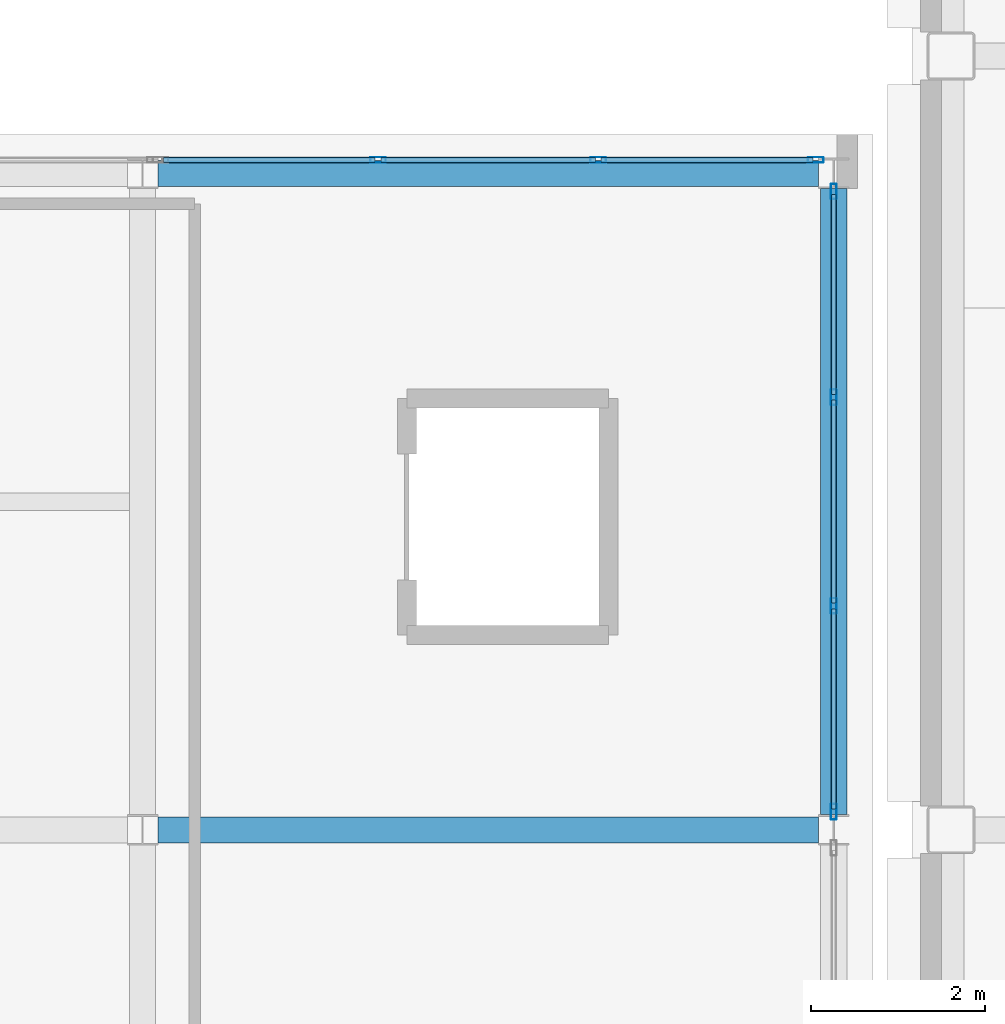
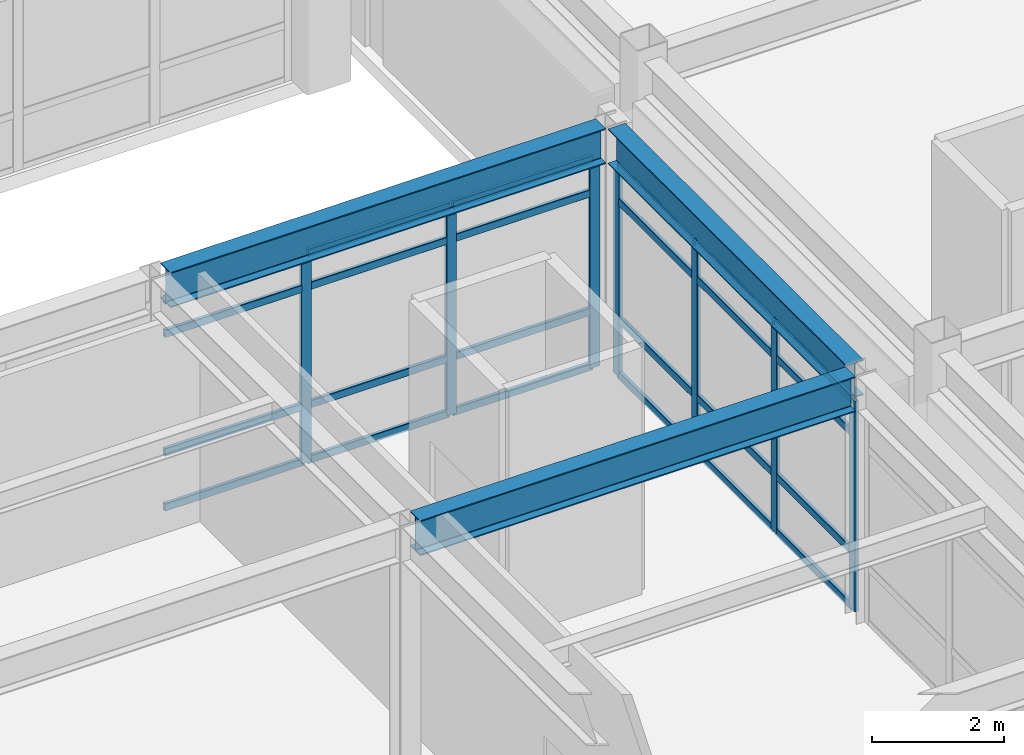
# One storey, part 31 of 154: 31 members, 3 beams, 2 elements without a shape of their own.
"""IFC4 building model written with IfcOpenShell, lengths in metres."""

from ifc_helpers import new_model, si_unit, direction, frame, origin, origin_2d, place, context, subcontext, project, spatial, hollow_rectangle, i_section, extrude, material, layer, layer_set, material_profile, profile_set, type_object, element, aggregate, save


model = new_model("IFC4")

# Units and contexts
model_context = context("Model", 3, precision=1e-05, world=origin(), true_north=direction((0.0, 1.0)))
body_context = subcontext(model_context, "Body", "Model", "MODEL_VIEW")
ifc_project = project(units=[si_unit("LENGTHUNIT", "METRE"), si_unit("AREAUNIT", "SQUARE_METRE"), si_unit("VOLUMEUNIT", "CUBIC_METRE"), si_unit("PLANEANGLEUNIT", "RADIAN"), si_unit("MASSUNIT", "GRAM", prefix="KILO")], contexts=[model_context])

# Site, building, storey
site_placement = place(None, origin())
site = spatial("IfcSite", under=ifc_project, at=site_placement, CompositionType="ELEMENT")
building_placement = place(site_placement, origin())
building = spatial("IfcBuilding", under=site, at=building_placement, Name="Kazehara Bluff Congress Hotel", CompositionType="ELEMENT")
storey_placement = place(building_placement, frame((0.0, 0.0, 10.199951171875)))
storey = spatial("IfcBuildingStorey", under=building, at=storey_placement, Name="L02", CompositionType="ELEMENT", Elevation=10.199951171875)

# Curtain wall, members
ifc_material_1 = material(Name="Anodised aluminium", Category="aluminium")
ifc_layer_1 = layer(ifc_material_1, 0.159912109375)
ifc_layer_set_1 = layer_set([ifc_layer_1], Name="Anodised aluminium")
curtain_wall_type_1 = type_object("IfcCurtainWallType", Name="TP-CW-23", PredefinedType="NOTDEFINED", material=ifc_layer_set_1)
curtain_wall_1_placement = place(storey_placement, origin())
curtain_wall_1 = element("IfcCurtainWall", 1, at=curtain_wall_1_placement, inside=storey, type_object=curtain_wall_type_1, Name="L02 curtain wall CW-23 CW-V2-L02-X5835-3217", PredefinedType="NOTDEFINED")
ifc_material_2 = material(Name="Anodised aluminium", Category="aluminium")
ifc_material_profile_1 = material_profile(ifc_material_2, hollow_rectangle(XDim=0.06494140625, YDim=0.179931640625, WallThickness=0.00390625, InnerFilletRadius=0.00390625, OuterFilletRadius=0.008056640625, at=origin_2d()))
ifc_profile_set_1 = profile_set([ifc_material_profile_1], Name="Anodised aluminium")
member_type_1 = type_object("IfcMemberType", Name="TP-CWM-02", PredefinedType="MULLION", material=ifc_profile_set_1)
member_1_placement = place(storey_placement, frame((58.35009765625, 32.20751953125, 0.0), z_axis=(0.0, 0.0, 1.0), x_axis=(-1.0, 0.0, 0.0)))
member_1 = element("IfcMember", 2, at=member_1_placement, type_object=member_type_1, Name="CW-23 mullion 1", PredefinedType="MULLION", context=body_context, shape_type="SweptSolid", body=[
    extrude(hollow_rectangle(XDim=0.06494140625, YDim=0.179931640625, WallThickness=0.00390625, InnerFilletRadius=0.00390625, OuterFilletRadius=0.008056640625, at=origin_2d()), origin(), (0.0, 0.0, 1.0), 3.885009765625),
])
member_2_placement = place(storey_placement, frame((58.35009765625, 34.574951171875, 0.0), z_axis=(0.0, 0.0, 1.0), x_axis=(-1.0, 0.0, 0.0)))
member_2 = element("IfcMember", 3, at=member_2_placement, type_object=member_type_1, Name="CW-23 mullion 2", PredefinedType="MULLION", context=body_context, shape_type="SweptSolid", body=[
    extrude(hollow_rectangle(XDim=0.06494140625, YDim=0.179931640625, WallThickness=0.00390625, InnerFilletRadius=0.00390625, OuterFilletRadius=0.008056640625, at=origin_2d()), origin(), (0.0, 0.0, 1.0), 3.885009765625),
])
member_3_placement = place(storey_placement, frame((58.35009765625, 36.97509765625, 0.0), z_axis=(0.0, 0.0, 1.0), x_axis=(-1.0, 0.0, 0.0)))
member_3 = element("IfcMember", 4, at=member_3_placement, type_object=member_type_1, Name="CW-23 mullion 3", PredefinedType="MULLION", context=body_context, shape_type="SweptSolid", body=[
    extrude(hollow_rectangle(XDim=0.06494140625, YDim=0.179931640625, WallThickness=0.00390625, InnerFilletRadius=0.00390625, OuterFilletRadius=0.008056640625, at=origin_2d()), origin(), (0.0, 0.0, 1.0), 3.885009765625),
])
member_4_placement = place(storey_placement, frame((58.35009765625, 39.342529296875, 0.0), z_axis=(0.0, 0.0, 1.0), x_axis=(-1.0, 0.0, 0.0)))
member_4 = element("IfcMember", 5, at=member_4_placement, type_object=member_type_1, Name="CW-23 mullion 4", PredefinedType="MULLION", context=body_context, shape_type="SweptSolid", body=[
    extrude(hollow_rectangle(XDim=0.06494140625, YDim=0.179931640625, WallThickness=0.00390625, InnerFilletRadius=0.00390625, OuterFilletRadius=0.008056640625, at=origin_2d()), origin(), (0.0, 0.0, 1.0), 3.885009765625),
])

ifc_material_3 = material(Name="Anodised aluminium", Category="aluminium")
ifc_layer_2 = layer(ifc_material_3, 0.159912109375)
ifc_layer_set_2 = layer_set([ifc_layer_2], Name="Anodised aluminium")
curtain_wall_type_2 = type_object("IfcCurtainWallType", Name="TP-CW-129", PredefinedType="NOTDEFINED", material=ifc_layer_set_2)
curtain_wall_2_placement = place(storey_placement, origin())
curtain_wall_2 = element("IfcCurtainWall", 6, at=curtain_wall_2_placement, inside=storey, type_object=curtain_wall_type_2, Name="L02 curtain wall CW-129 CW-ENC-V2-L02-5438-3970", PredefinedType="NOTDEFINED")
member_5_placement = place(storey_placement, frame((53.1083984375, 39.705078125, 0.0), z_axis=(0.0, 0.0, 1.0), x_axis=(0.0, 1.0, 0.0)))
member_5 = element("IfcMember", 7, at=member_5_placement, type_object=member_type_1, Name="CW-129 mullion 2", PredefinedType="MULLION", context=body_context, shape_type="SweptSolid", body=[
    extrude(hollow_rectangle(XDim=0.06494140625, YDim=0.179931640625, WallThickness=0.00390625, InnerFilletRadius=0.00390625, OuterFilletRadius=0.008056640625, at=origin_2d()), origin(), (0.0, 0.0, 1.0), 3.885009765625),
])
member_6_placement = place(storey_placement, frame((55.6416015625, 39.705078125, 0.0), z_axis=(0.0, 0.0, 1.0), x_axis=(0.0, 1.0, 0.0)))
member_6 = element("IfcMember", 8, at=member_6_placement, type_object=member_type_1, Name="CW-129 mullion 3", PredefinedType="MULLION", context=body_context, shape_type="SweptSolid", body=[
    extrude(hollow_rectangle(XDim=0.06494140625, YDim=0.179931640625, WallThickness=0.00390625, InnerFilletRadius=0.00390625, OuterFilletRadius=0.008056640625, at=origin_2d()), origin(), (0.0, 0.0, 1.0), 3.885009765625),
])
member_7_placement = place(storey_placement, frame((58.142578125, 39.705078125, 0.0), z_axis=(0.0, 0.0, 1.0), x_axis=(0.0, 1.0, 0.0)))
member_7 = element("IfcMember", 9, at=member_7_placement, type_object=member_type_1, Name="CW-129 mullion 4", PredefinedType="MULLION", context=body_context, shape_type="SweptSolid", body=[
    extrude(hollow_rectangle(XDim=0.06494140625, YDim=0.179931640625, WallThickness=0.00390625, InnerFilletRadius=0.00390625, OuterFilletRadius=0.008056640625, at=origin_2d()), origin(), (0.0, 0.0, 1.0), 3.885009765625),
])

# Member
ifc_material_4 = material(Name="Anodised aluminium", Category="aluminium")
ifc_material_profile_2 = material_profile(ifc_material_4, hollow_rectangle(XDim=0.06494140625, YDim=0.139892578125, WallThickness=0.00390625, InnerFilletRadius=0.00390625, OuterFilletRadius=0.008056640625, at=origin_2d()))
ifc_profile_set_2 = profile_set([ifc_material_profile_2], Name="Anodised aluminium")
member_type_2 = type_object("IfcMemberType", Name="TP-CWT-02", PredefinedType="USERDEFINED", material=ifc_profile_set_2)
member_8_placement = place(storey_placement, frame((58.35009765625, 32.239990234375, 0.032470703125), z_axis=(0.0, 1.0, 0.0), x_axis=(-1.0, 0.0, 0.0)))
member_8 = element("IfcMember", 10, at=member_8_placement, type_object=member_type_2, Name="CW-23 transom 1.1", ObjectType="TRANSOM", PredefinedType="USERDEFINED", context=body_context, shape_type="SweptSolid", body=[
    extrude(hollow_rectangle(XDim=0.06494140625, YDim=0.139892578125, WallThickness=0.00390625, InnerFilletRadius=0.00390625, OuterFilletRadius=0.008056640625, at=origin_2d()), origin(), (0.0, 0.0, 1.0), 2.302490234375),
])

member_9_placement = place(storey_placement, frame((58.35009765625, 32.239990234375, 1.050048828125), z_axis=(0.0, 1.0, 0.0), x_axis=(-1.0, 0.0, 0.0)))
member_9 = element("IfcMember", 11, at=member_9_placement, type_object=member_type_2, Name="CW-23 transom 1.2", ObjectType="TRANSOM", PredefinedType="USERDEFINED", context=body_context, shape_type="SweptSolid", body=[
    extrude(hollow_rectangle(XDim=0.06494140625, YDim=0.139892578125, WallThickness=0.00390625, InnerFilletRadius=0.00390625, OuterFilletRadius=0.008056640625, at=origin_2d()), origin(), (0.0, 0.0, 1.0), 2.302490234375),
])

member_10_placement = place(storey_placement, frame((58.35009765625, 32.239990234375, 3.235107421875), z_axis=(0.0, 1.0, 0.0), x_axis=(-1.0, 0.0, 0.0)))
member_10 = element("IfcMember", 12, at=member_10_placement, type_object=member_type_2, Name="CW-23 transom 1.3", ObjectType="TRANSOM", PredefinedType="USERDEFINED", context=body_context, shape_type="SweptSolid", body=[
    extrude(hollow_rectangle(XDim=0.06494140625, YDim=0.139892578125, WallThickness=0.00390625, InnerFilletRadius=0.00390625, OuterFilletRadius=0.008056640625, at=origin_2d()), origin(), (0.0, 0.0, 1.0), 2.302490234375),
])

member_11_placement = place(storey_placement, frame((58.35009765625, 32.239990234375, 3.8525390625), z_axis=(0.0, 1.0, 0.0), x_axis=(-1.0, 0.0, 0.0)))
member_11 = element("IfcMember", 13, at=member_11_placement, type_object=member_type_2, Name="CW-23 transom 1.4", ObjectType="TRANSOM", PredefinedType="USERDEFINED", context=body_context, shape_type="SweptSolid", body=[
    extrude(hollow_rectangle(XDim=0.06494140625, YDim=0.139892578125, WallThickness=0.00390625, InnerFilletRadius=0.00390625, OuterFilletRadius=0.008056640625, at=origin_2d()), origin(), (0.0, 0.0, 1.0), 2.302490234375),
])

member_12_placement = place(storey_placement, frame((58.35009765625, 34.607421875, 0.032470703125), z_axis=(0.0, 1.0, 0.0), x_axis=(-1.0, 0.0, 0.0)))
member_12 = element("IfcMember", 14, at=member_12_placement, type_object=member_type_2, Name="CW-23 transom 2.1", ObjectType="TRANSOM", PredefinedType="USERDEFINED", context=body_context, shape_type="SweptSolid", body=[
    extrude(hollow_rectangle(XDim=0.06494140625, YDim=0.139892578125, WallThickness=0.00390625, InnerFilletRadius=0.00390625, OuterFilletRadius=0.008056640625, at=origin_2d()), origin(), (0.0, 0.0, 1.0), 2.3349609375),
])

member_13_placement = place(storey_placement, frame((58.35009765625, 34.607421875, 1.050048828125), z_axis=(0.0, 1.0, 0.0), x_axis=(-1.0, 0.0, 0.0)))
member_13 = element("IfcMember", 15, at=member_13_placement, type_object=member_type_2, Name="CW-23 transom 2.2", ObjectType="TRANSOM", PredefinedType="USERDEFINED", context=body_context, shape_type="SweptSolid", body=[
    extrude(hollow_rectangle(XDim=0.06494140625, YDim=0.139892578125, WallThickness=0.00390625, InnerFilletRadius=0.00390625, OuterFilletRadius=0.008056640625, at=origin_2d()), origin(), (0.0, 0.0, 1.0), 2.3349609375),
])

member_14_placement = place(storey_placement, frame((58.35009765625, 34.607421875, 3.235107421875), z_axis=(0.0, 1.0, 0.0), x_axis=(-1.0, 0.0, 0.0)))
member_14 = element("IfcMember", 16, at=member_14_placement, type_object=member_type_2, Name="CW-23 transom 2.3", ObjectType="TRANSOM", PredefinedType="USERDEFINED", context=body_context, shape_type="SweptSolid", body=[
    extrude(hollow_rectangle(XDim=0.06494140625, YDim=0.139892578125, WallThickness=0.00390625, InnerFilletRadius=0.00390625, OuterFilletRadius=0.008056640625, at=origin_2d()), origin(), (0.0, 0.0, 1.0), 2.3349609375),
])

member_15_placement = place(storey_placement, frame((58.35009765625, 34.607421875, 3.8525390625), z_axis=(0.0, 1.0, 0.0), x_axis=(-1.0, 0.0, 0.0)))
member_15 = element("IfcMember", 17, at=member_15_placement, type_object=member_type_2, Name="CW-23 transom 2.4", ObjectType="TRANSOM", PredefinedType="USERDEFINED", context=body_context, shape_type="SweptSolid", body=[
    extrude(hollow_rectangle(XDim=0.06494140625, YDim=0.139892578125, WallThickness=0.00390625, InnerFilletRadius=0.00390625, OuterFilletRadius=0.008056640625, at=origin_2d()), origin(), (0.0, 0.0, 1.0), 2.3349609375),
])

member_16_placement = place(storey_placement, frame((58.35009765625, 37.007568359375, 0.032470703125), z_axis=(0.0, 1.0, 0.0), x_axis=(-1.0, 0.0, 0.0)))
member_16 = element("IfcMember", 18, at=member_16_placement, type_object=member_type_2, Name="CW-23 transom 3.1", ObjectType="TRANSOM", PredefinedType="USERDEFINED", context=body_context, shape_type="SweptSolid", body=[
    extrude(hollow_rectangle(XDim=0.06494140625, YDim=0.139892578125, WallThickness=0.00390625, InnerFilletRadius=0.00390625, OuterFilletRadius=0.008056640625, at=origin_2d()), origin(), (0.0, 0.0, 1.0), 2.302490234375),
])

member_17_placement = place(storey_placement, frame((58.35009765625, 37.007568359375, 1.050048828125), z_axis=(0.0, 1.0, 0.0), x_axis=(-1.0, 0.0, 0.0)))
member_17 = element("IfcMember", 19, at=member_17_placement, type_object=member_type_2, Name="CW-23 transom 3.2", ObjectType="TRANSOM", PredefinedType="USERDEFINED", context=body_context, shape_type="SweptSolid", body=[
    extrude(hollow_rectangle(XDim=0.06494140625, YDim=0.139892578125, WallThickness=0.00390625, InnerFilletRadius=0.00390625, OuterFilletRadius=0.008056640625, at=origin_2d()), origin(), (0.0, 0.0, 1.0), 2.302490234375),
])

member_18_placement = place(storey_placement, frame((58.35009765625, 37.007568359375, 3.235107421875), z_axis=(0.0, 1.0, 0.0), x_axis=(-1.0, 0.0, 0.0)))
member_18 = element("IfcMember", 20, at=member_18_placement, type_object=member_type_2, Name="CW-23 transom 3.3", ObjectType="TRANSOM", PredefinedType="USERDEFINED", context=body_context, shape_type="SweptSolid", body=[
    extrude(hollow_rectangle(XDim=0.06494140625, YDim=0.139892578125, WallThickness=0.00390625, InnerFilletRadius=0.00390625, OuterFilletRadius=0.008056640625, at=origin_2d()), origin(), (0.0, 0.0, 1.0), 2.302490234375),
])

member_19_placement = place(storey_placement, frame((58.35009765625, 37.007568359375, 3.8525390625), z_axis=(0.0, 1.0, 0.0), x_axis=(-1.0, 0.0, 0.0)))
member_19 = element("IfcMember", 21, at=member_19_placement, type_object=member_type_2, Name="CW-23 transom 3.4", ObjectType="TRANSOM", PredefinedType="USERDEFINED", context=body_context, shape_type="SweptSolid", body=[
    extrude(hollow_rectangle(XDim=0.06494140625, YDim=0.139892578125, WallThickness=0.00390625, InnerFilletRadius=0.00390625, OuterFilletRadius=0.008056640625, at=origin_2d()), origin(), (0.0, 0.0, 1.0), 2.302490234375),
])

aggregate(curtain_wall_1, [member_1, member_2, member_3, member_4, member_8, member_9, member_10, member_11, member_12, member_13, member_14, member_15, member_16, member_17, member_18, member_19])

member_20_placement = place(storey_placement, frame((50.639892578125, 39.705078125, 0.032470703125), z_axis=(1.0, 0.0, 0.0), x_axis=(0.0, 1.0, 0.0)))
member_20 = element("IfcMember", 22, at=member_20_placement, type_object=member_type_2, Name="CW-129 transom 1.1", ObjectType="TRANSOM", PredefinedType="USERDEFINED", context=body_context, shape_type="SweptSolid", body=[
    extrude(hollow_rectangle(XDim=0.06494140625, YDim=0.139892578125, WallThickness=0.00390625, InnerFilletRadius=0.00390625, OuterFilletRadius=0.008056640625, at=origin_2d()), origin(), (0.0, 0.0, 1.0), 2.43603515625),
])

member_21_placement = place(storey_placement, frame((50.639892578125, 39.705078125, 1.050048828125), z_axis=(1.0, 0.0, 0.0), x_axis=(0.0, 1.0, 0.0)))
member_21 = element("IfcMember", 23, at=member_21_placement, type_object=member_type_2, Name="CW-129 transom 1.2", ObjectType="TRANSOM", PredefinedType="USERDEFINED", context=body_context, shape_type="SweptSolid", body=[
    extrude(hollow_rectangle(XDim=0.06494140625, YDim=0.139892578125, WallThickness=0.00390625, InnerFilletRadius=0.00390625, OuterFilletRadius=0.008056640625, at=origin_2d()), origin(), (0.0, 0.0, 1.0), 2.43603515625),
])

member_22_placement = place(storey_placement, frame((50.639892578125, 39.705078125, 3.235107421875), z_axis=(1.0, 0.0, 0.0), x_axis=(0.0, 1.0, 0.0)))
member_22 = element("IfcMember", 24, at=member_22_placement, type_object=member_type_2, Name="CW-129 transom 1.3", ObjectType="TRANSOM", PredefinedType="USERDEFINED", context=body_context, shape_type="SweptSolid", body=[
    extrude(hollow_rectangle(XDim=0.06494140625, YDim=0.139892578125, WallThickness=0.00390625, InnerFilletRadius=0.00390625, OuterFilletRadius=0.008056640625, at=origin_2d()), origin(), (0.0, 0.0, 1.0), 2.43603515625),
])

member_23_placement = place(storey_placement, frame((50.639892578125, 39.705078125, 3.8525390625), z_axis=(1.0, 0.0, 0.0), x_axis=(0.0, 1.0, 0.0)))
member_23 = element("IfcMember", 25, at=member_23_placement, type_object=member_type_2, Name="CW-129 transom 1.4", ObjectType="TRANSOM", PredefinedType="USERDEFINED", context=body_context, shape_type="SweptSolid", body=[
    extrude(hollow_rectangle(XDim=0.06494140625, YDim=0.139892578125, WallThickness=0.00390625, InnerFilletRadius=0.00390625, OuterFilletRadius=0.008056640625, at=origin_2d()), origin(), (0.0, 0.0, 1.0), 2.43603515625),
])

member_24_placement = place(storey_placement, frame((53.140869140625, 39.705078125, 0.032470703125), z_axis=(1.0, 0.0, 0.0), x_axis=(0.0, 1.0, 0.0)))
member_24 = element("IfcMember", 26, at=member_24_placement, type_object=member_type_2, Name="CW-129 transom 2.1", ObjectType="TRANSOM", PredefinedType="USERDEFINED", context=body_context, shape_type="SweptSolid", body=[
    extrude(hollow_rectangle(XDim=0.06494140625, YDim=0.139892578125, WallThickness=0.00390625, InnerFilletRadius=0.00390625, OuterFilletRadius=0.008056640625, at=origin_2d()), origin(), (0.0, 0.0, 1.0), 2.46826171875),
])

member_25_placement = place(storey_placement, frame((53.140869140625, 39.705078125, 1.050048828125), z_axis=(1.0, 0.0, 0.0), x_axis=(0.0, 1.0, 0.0)))
member_25 = element("IfcMember", 27, at=member_25_placement, type_object=member_type_2, Name="CW-129 transom 2.2", ObjectType="TRANSOM", PredefinedType="USERDEFINED", context=body_context, shape_type="SweptSolid", body=[
    extrude(hollow_rectangle(XDim=0.06494140625, YDim=0.139892578125, WallThickness=0.00390625, InnerFilletRadius=0.00390625, OuterFilletRadius=0.008056640625, at=origin_2d()), origin(), (0.0, 0.0, 1.0), 2.46826171875),
])

member_26_placement = place(storey_placement, frame((53.140869140625, 39.705078125, 3.235107421875), z_axis=(1.0, 0.0, 0.0), x_axis=(0.0, 1.0, 0.0)))
member_26 = element("IfcMember", 28, at=member_26_placement, type_object=member_type_2, Name="CW-129 transom 2.3", ObjectType="TRANSOM", PredefinedType="USERDEFINED", context=body_context, shape_type="SweptSolid", body=[
    extrude(hollow_rectangle(XDim=0.06494140625, YDim=0.139892578125, WallThickness=0.00390625, InnerFilletRadius=0.00390625, OuterFilletRadius=0.008056640625, at=origin_2d()), origin(), (0.0, 0.0, 1.0), 2.46826171875),
])

member_27_placement = place(storey_placement, frame((53.140869140625, 39.705078125, 3.8525390625), z_axis=(1.0, 0.0, 0.0), x_axis=(0.0, 1.0, 0.0)))
member_27 = element("IfcMember", 29, at=member_27_placement, type_object=member_type_2, Name="CW-129 transom 2.4", ObjectType="TRANSOM", PredefinedType="USERDEFINED", context=body_context, shape_type="SweptSolid", body=[
    extrude(hollow_rectangle(XDim=0.06494140625, YDim=0.139892578125, WallThickness=0.00390625, InnerFilletRadius=0.00390625, OuterFilletRadius=0.008056640625, at=origin_2d()), origin(), (0.0, 0.0, 1.0), 2.46826171875),
])

member_28_placement = place(storey_placement, frame((55.674072265625, 39.705078125, 0.032470703125), z_axis=(1.0, 0.0, 0.0), x_axis=(0.0, 1.0, 0.0)))
member_28 = element("IfcMember", 30, at=member_28_placement, type_object=member_type_2, Name="CW-129 transom 3.1", ObjectType="TRANSOM", PredefinedType="USERDEFINED", context=body_context, shape_type="SweptSolid", body=[
    extrude(hollow_rectangle(XDim=0.06494140625, YDim=0.139892578125, WallThickness=0.00390625, InnerFilletRadius=0.00390625, OuterFilletRadius=0.008056640625, at=origin_2d()), origin(), (0.0, 0.0, 1.0), 2.43603515625),
])

member_29_placement = place(storey_placement, frame((55.674072265625, 39.705078125, 1.050048828125), z_axis=(1.0, 0.0, 0.0), x_axis=(0.0, 1.0, 0.0)))
member_29 = element("IfcMember", 31, at=member_29_placement, type_object=member_type_2, Name="CW-129 transom 3.2", ObjectType="TRANSOM", PredefinedType="USERDEFINED", context=body_context, shape_type="SweptSolid", body=[
    extrude(hollow_rectangle(XDim=0.06494140625, YDim=0.139892578125, WallThickness=0.00390625, InnerFilletRadius=0.00390625, OuterFilletRadius=0.008056640625, at=origin_2d()), origin(), (0.0, 0.0, 1.0), 2.43603515625),
])

member_30_placement = place(storey_placement, frame((55.674072265625, 39.705078125, 3.235107421875), z_axis=(1.0, 0.0, 0.0), x_axis=(0.0, 1.0, 0.0)))
member_30 = element("IfcMember", 32, at=member_30_placement, type_object=member_type_2, Name="CW-129 transom 3.3", ObjectType="TRANSOM", PredefinedType="USERDEFINED", context=body_context, shape_type="SweptSolid", body=[
    extrude(hollow_rectangle(XDim=0.06494140625, YDim=0.139892578125, WallThickness=0.00390625, InnerFilletRadius=0.00390625, OuterFilletRadius=0.008056640625, at=origin_2d()), origin(), (0.0, 0.0, 1.0), 2.43603515625),
])

member_31_placement = place(storey_placement, frame((55.674072265625, 39.705078125, 3.8525390625), z_axis=(1.0, 0.0, 0.0), x_axis=(0.0, 1.0, 0.0)))
member_31 = element("IfcMember", 33, at=member_31_placement, type_object=member_type_2, Name="CW-129 transom 3.4", ObjectType="TRANSOM", PredefinedType="USERDEFINED", context=body_context, shape_type="SweptSolid", body=[
    extrude(hollow_rectangle(XDim=0.06494140625, YDim=0.139892578125, WallThickness=0.00390625, InnerFilletRadius=0.00390625, OuterFilletRadius=0.008056640625, at=origin_2d()), origin(), (0.0, 0.0, 1.0), 2.43603515625),
])

aggregate(curtain_wall_2, [member_5, member_6, member_7, member_20, member_21, member_22, member_23, member_24, member_25, member_26, member_27, member_28, member_29, member_30, member_31])

# Beams
ifc_material_5 = material(Name="Steel SN490B", Category="steel")
ifc_material_profile_3 = material_profile(ifc_material_5, i_section(OverallWidth=0.300048828125, OverallDepth=0.64990234375, WebThickness=0.011962890625, FlangeThickness=0.02001953125, FilletRadius=0.012939453125, at=origin_2d()))
ifc_profile_set_3 = profile_set([ifc_material_profile_3], Name="Steel SN490B")
beam_type = type_object("IfcBeamType", Name="TP-G-03", PredefinedType="BEAM", material=ifc_profile_set_3)
beam_placement = place(storey_placement, frame((58.35009765625, 32.175048828125, 4.235107421875), z_axis=(0.0, 1.0, 0.0), x_axis=(-1.0, 0.0, 0.0)))
element("IfcBeam", 34, at=beam_placement, inside=storey, type_object=beam_type, Name="L02 girder G-03 48", PredefinedType="BEAM", context=body_context, shape_type="SweptSolid", body=[
    extrude(i_section(OverallWidth=0.300048828125, OverallDepth=0.64990234375, WebThickness=0.011962890625, FlangeThickness=0.02001953125, FilletRadius=0.012939453125, at=origin_2d()), origin(), (0.0, 0.0, 1.0), 7.199951171875),
])
for number, where, z_axis, x_axis, name in (
    (35, (50.574951171875, 32.0, 4.235107421875), (1.0, 0.0, 0.0), (0.0, 1.0, 0.0), "L02 girder G-03 53"),
    (36, (50.574951171875, 39.550048828125, 4.235107421875), (1.0, 0.0, 0.0), (0.0, 1.0, 0.0), "L02 girder G-03 56"),
):
    element("IfcBeam", number, at=place(storey_placement, frame(where, z_axis=z_axis, x_axis=x_axis)), inside=storey, type_object=beam_type, Name=name, PredefinedType="BEAM", context=body_context, shape_type="SweptSolid", body=[
        extrude(i_section(OverallWidth=0.300048828125, OverallDepth=0.64990234375, WebThickness=0.011962890625, FlangeThickness=0.02001953125, FilletRadius=0.012939453125, at=origin_2d()), origin(), (0.0, 0.0, 1.0), 7.60009765625),
    ])

save(model, "model.ifc")
